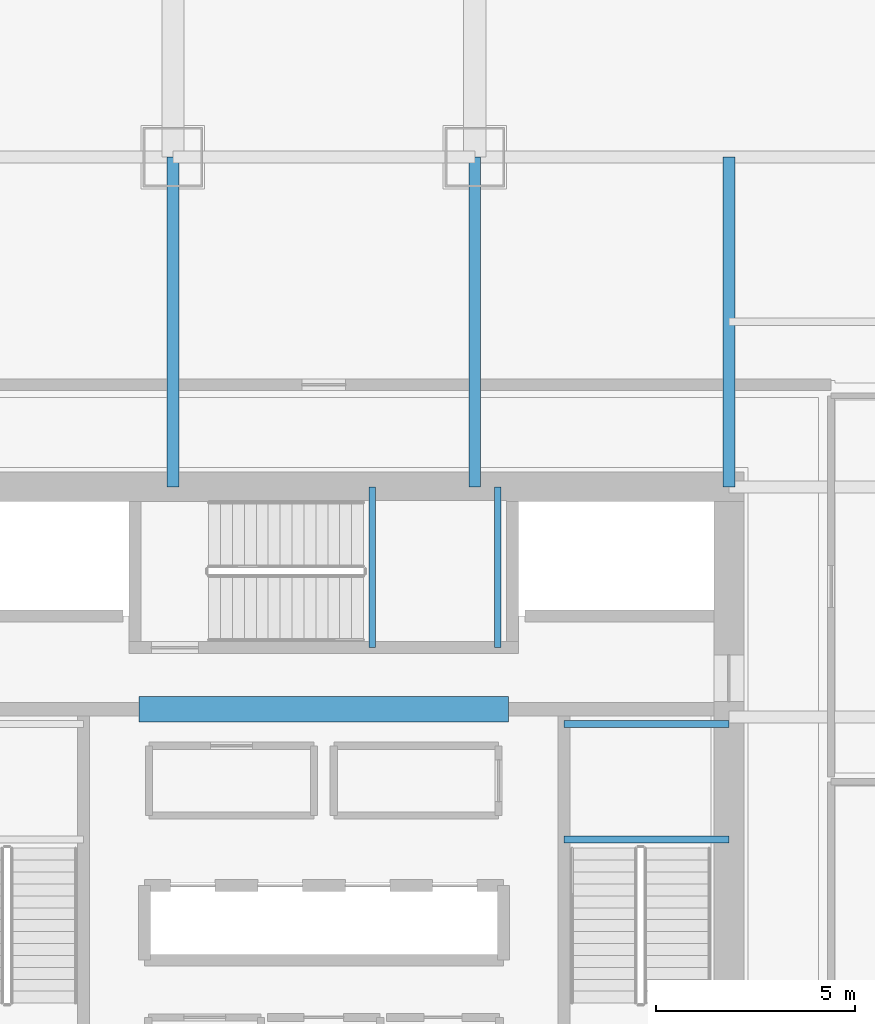
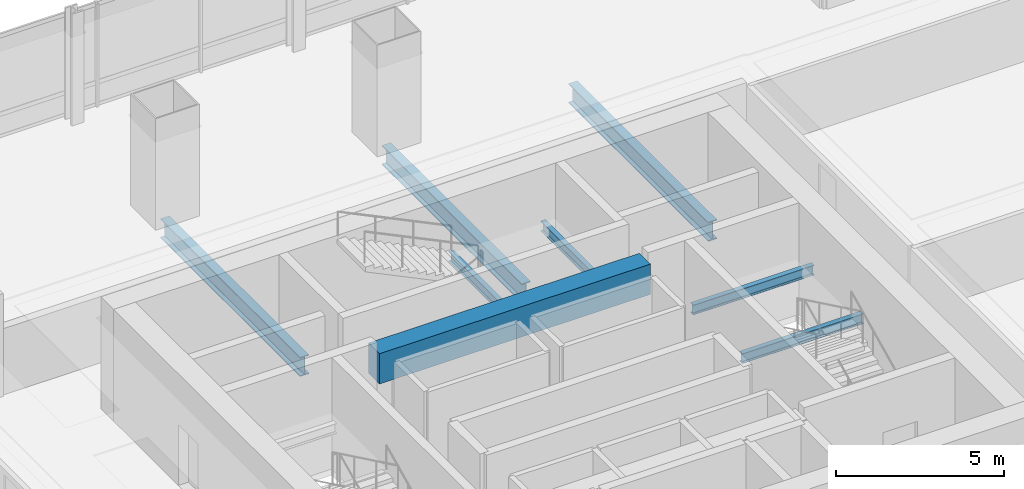
# One storey, part 12 of 33: 8 beams.
"""IFC4 building model written with IfcOpenShell, lengths in metres."""

import ifcopenshell
import ifcopenshell.guid

model = None  # the IFC model being written
_history = None  # IfcOwnerHistory: only IFC2X3 demands one
_inside = {}  # id of a spatial element -> (the spatial element, [elements in it])
_under = {}  # id of a project, library or spatial element -> (it, [spatial elements below it])
_declared = {}  # id of a project -> (the project, [libraries it declares])
_typed = {}  # id of a type object -> (the type object, [elements of that type])
_made_of = {}  # id of a material, layer set ... -> (it, [elements and type objects made of it])


def new_model(schema):
    """Start an empty IFC model of exactly this schema.

    Asked for "IFC4X3", IfcOpenShell would pick the latest addendum, in which some entities
    have other attributes; the version numbers below select the first issue.
    IFC2X3 requires an IfcOwnerHistory on every rooted entity: one is made here for all.
    """
    global model, _history
    if schema == "IFC4X3":
        model = ifcopenshell.file(schema_version=(4, 3, 0, 0))
    else:
        model = ifcopenshell.file(schema=schema)
    _inside.clear()
    _under.clear()
    _declared.clear()
    _typed.clear()
    _made_of.clear()
    _history = None
    if model.schema == "IFC2X3":
        org = make("IfcOrganization", Name="unknown")
        user = make(
            "IfcPersonAndOrganization",
            ThePerson=make("IfcPerson", FamilyName="unknown"),
            TheOrganization=org,
        )
        app = make(
            "IfcApplication",
            ApplicationDeveloper=org,
            Version="unknown",
            ApplicationFullName="unknown",
            ApplicationIdentifier="unknown",
        )
        _history = make(
            "IfcOwnerHistory",
            OwningUser=user,
            OwningApplication=app,
            ChangeAction="ADDED",
            CreationDate=0,
        )
    return model


def make(cls, **values):
    """One entity of the class cls with the attributes given. An attribute that is None is left unset."""
    return model.create_entity(
        cls, **{name: value for name, value in values.items() if value is not None}
    )


def rooted(cls, **values):
    """An entity with a GlobalId (a new one), such as an element, a storey or a relation."""
    return make(cls, GlobalId=ifcopenshell.guid.new(), OwnerHistory=_history, **values)


def si_unit(unit_type, name, prefix=None):
    """IfcSIUnit, for example si_unit("LENGTHUNIT", "METRE", prefix="MILLI")."""
    return make("IfcSIUnit", UnitType=unit_type, Prefix=prefix, Name=name)


def assignment(units):
    """IfcUnitAssignment: the units of a project."""
    return None if units is None else make("IfcUnitAssignment", Units=units)


def point(xyz):
    """IfcCartesianPoint."""
    return None if xyz is None else make("IfcCartesianPoint", Coordinates=xyz)


def direction(xyz):
    """IfcDirection."""
    return None if xyz is None else make("IfcDirection", DirectionRatios=xyz)


def frame(location, z_axis=None, x_axis=None):
    """IfcAxis2Placement3D, a coordinate frame: its origin and axes. An axis left out is left unset."""
    return make(
        "IfcAxis2Placement3D",
        Location=point(location),
        Axis=direction(z_axis),
        RefDirection=direction(x_axis),
    )


def frame_2d(location, x_axis=None):
    """IfcAxis2Placement2D, a coordinate frame in the plane: its origin and x axis."""
    return make(
        "IfcAxis2Placement2D", Location=point(location), RefDirection=direction(x_axis)
    )


def origin():
    """The frame at (0, 0, 0) with its axes left unset."""
    return frame((0.0, 0.0, 0.0))


def origin_2d():
    """The frame at (0, 0) in the plane with its x axis left unset."""
    return frame_2d((0.0, 0.0))


def place(relative_to, where):
    """IfcLocalPlacement: puts the frame where relative to a parent placement (None: the world)."""
    return make(
        "IfcLocalPlacement", PlacementRelTo=relative_to, RelativePlacement=where
    )


def context(
    kind, dimensions, precision=None, world=None, true_north=None, identifier=None
):
    """IfcGeometricRepresentationContext, for example the 3D "Model" context."""
    return make(
        "IfcGeometricRepresentationContext",
        ContextIdentifier=identifier,
        ContextType=kind,
        CoordinateSpaceDimension=dimensions,
        Precision=precision,
        WorldCoordinateSystem=world,
        TrueNorth=true_north,
    )


def subcontext(parent, identifier, kind, view, scale=None):
    """IfcGeometricRepresentationSubContext, for example "Body" below "Model"."""
    return make(
        "IfcGeometricRepresentationSubContext",
        ContextIdentifier=identifier,
        ContextType=kind,
        ParentContext=parent,
        TargetScale=scale,
        TargetView=view,
    )


def project(units=None, contexts=None):
    """IfcProject with its units and contexts."""
    return rooted(
        "IfcProject",
        Name="project",
        RepresentationContexts=contexts,
        UnitsInContext=assignment(units),
    )


def spatial(cls, under=None, at=None, **own):
    """A site, building, storey or space (cls), placed at a placement, below another one or the project."""
    s = rooted(cls, ObjectPlacement=at, **own)
    if under is not None:
        _under.setdefault(under.id(), (under, []))[1].append(s)
    return s


def profile(cls, at=None, kind="AREA", **sizes):
    """A parametric profile (cls). Its sizes go by their IFC names, for example OverallWidth=200.0."""
    return make(cls, ProfileType=kind, Position=at, **sizes)


def rectangle(**sizes):
    """IfcRectangleProfileDef."""
    return profile("IfcRectangleProfileDef", **sizes)


def i_section(**sizes):
    """IfcIShapeProfileDef."""
    return profile("IfcIShapeProfileDef", **sizes)


def extrude(swept, where, along, depth):
    """IfcExtrudedAreaSolid: the profile swept, set in the frame where, extruded along a direction by depth."""
    return make(
        "IfcExtrudedAreaSolid",
        SweptArea=swept,
        Position=where,
        ExtrudedDirection=direction(along),
        Depth=depth,
    )


def shape(context_of_items, identifier, shape_type, items):
    """IfcShapeRepresentation: the items that make up one representation, for example the "Body"."""
    return make(
        "IfcShapeRepresentation",
        ContextOfItems=context_of_items,
        RepresentationIdentifier=identifier,
        RepresentationType=shape_type,
        Items=items,
    )


def material(Name=None, Category=None):
    """IfcMaterial."""
    return make("IfcMaterial", Name=Name, Category=Category)


def material_profile(
    of_material, cross_section, Name=None, Category=None, Priority=None
):
    """IfcMaterialProfile: a cross section and its material."""
    return make(
        "IfcMaterialProfile",
        Name=Name,
        Material=of_material,
        Profile=cross_section,
        Priority=Priority,
        Category=Category,
    )


def profile_set(profiles, Name=None, composite=None):
    """IfcMaterialProfileSet."""
    return make(
        "IfcMaterialProfileSet",
        Name=Name,
        MaterialProfiles=profiles,
        CompositeProfile=composite,
    )


def made_of(thing, what):
    """Note that an element or type object is made of a material, layer set ...; save() writes the relation."""
    if what is not None:
        _made_of.setdefault(what.id(), (what, []))[1].append(thing)
    return thing


def type_object(cls, material=None, **own):
    """A type object (cls), such as IfcWallType, which elements share."""
    return made_of(rooted(cls, **own), material)


def element(
    cls,
    number,
    at=None,
    inside=None,
    cuts=None,
    type_object=None,
    material=None,
    context=None,
    identifier="Body",
    shape_type=None,
    held_by="IfcProductDefinitionShape",
    body=None,
    shapes=None,
    **own,
):
    """One element of the class cls, such as IfcWall. Its Tag is "e" and its number.

    at: its placement. inside: the storey or other place that contains it. cuts: it is an
    opening in that element (IfcRelVoidsElement). A single representation is given by context,
    identifier, shape_type and body (its items); several are given by shapes. held_by: the class
    of the entity that holds the representations. save() writes the other relations.
    """
    e = rooted(cls, Tag="e%d" % number, ObjectPlacement=at, **own)
    if body is not None:
        shapes = [shape(context, identifier, shape_type, body)]
    if shapes is not None:
        e.Representation = make(held_by, Representations=shapes)
    if inside is not None:
        _inside.setdefault(inside.id(), (inside, []))[1].append(e)
    if cuts is not None:
        rooted(
            "IfcRelVoidsElement", RelatingBuildingElement=cuts, RelatedOpeningElement=e
        )
    if type_object is not None:
        _typed.setdefault(type_object.id(), (type_object, []))[1].append(e)
    return made_of(e, material)


def aggregate(whole, parts):
    """IfcRelAggregates: a whole, such as a stair, and the parts it consists of."""
    return rooted("IfcRelAggregates", RelatingObject=whole, RelatedObjects=parts)


def save(model, path):
    """Write the relations noted so far, then the file.

    IfcRelAggregates (storeys below a building ...), IfcRelContainedInSpatialStructure (elements
    in a storey), IfcRelDefinesByType, IfcRelAssociatesMaterial and IfcRelDeclares: one each for
    every whole, place, type object, material and project.
    """
    for whole, parts in _under.values():
        aggregate(whole, parts)
    for where, things in _inside.values():
        rooted(
            "IfcRelContainedInSpatialStructure",
            RelatedElements=things,
            RelatingStructure=where,
        )
    for kind, things in _typed.values():
        rooted("IfcRelDefinesByType", RelatedObjects=things, RelatingType=kind)
    for what, things in _made_of.values():
        rooted("IfcRelAssociatesMaterial", RelatedObjects=things, RelatingMaterial=what)
    for by, libraries in _declared.values():
        rooted("IfcRelDeclares", RelatingContext=by, RelatedDefinitions=libraries)
    model.write(path)


model = new_model("IFC4")

# Units and contexts
model_context = context("Model", 3, precision=1e-05, world=origin(), true_north=direction((0.0, 1.0)))
body_context = subcontext(model_context, "Body", "Model", "MODEL_VIEW")
ifc_project = project(units=[si_unit("LENGTHUNIT", "METRE"), si_unit("AREAUNIT", "SQUARE_METRE"), si_unit("VOLUMEUNIT", "CUBIC_METRE"), si_unit("PLANEANGLEUNIT", "RADIAN"), si_unit("MASSUNIT", "GRAM", prefix="KILO")], contexts=[model_context])

# Site, building, storey
site_placement = place(None, origin())
site = spatial("IfcSite", under=ifc_project, at=site_placement, CompositionType="ELEMENT")
building_placement = place(site_placement, origin())
building = spatial("IfcBuilding", under=site, at=building_placement, Name="Punatoya Terracotta Tower", CompositionType="ELEMENT")
storey_placement = place(building_placement, frame((0.0, 0.0, 121.35009765625)))
storey = spatial("IfcBuildingStorey", under=building, at=storey_placement, Name="L28", CompositionType="ELEMENT", Elevation=121.35009765625)

# Beams
ifc_material_1 = material(Name="Steel S355", Category="steel")
ifc_material_profile_1 = material_profile(ifc_material_1, i_section(OverallWidth=0.300048828125, OverallDepth=0.699951171875, WebThickness=0.01708984375, FlangeThickness=0.031982421875, FilletRadius=0.01806640625, at=origin_2d()))
ifc_profile_set_1 = profile_set([ifc_material_profile_1], Name="Steel S355")
beam_type_1 = type_object("IfcBeamType", Name="BM-PRI-700", PredefinedType="BEAM", material=ifc_profile_set_1)
for number, where, z_axis, x_axis, name in (
    (1, (-3.800048828125, 9.199951171875, -0.590087890625), (0.0, 1.0, 0.0), (-1.0, 0.0, 0.0), "BM-L28-PR-N2"),
    (2, (3.800048828125, 9.199951171875, -0.590087890625), (0.0, 1.0, 0.0), (-1.0, 0.0, 0.0), "BM-L28-PR-N3"),
    (3, (10.199951171875, 9.199951171875, -0.590087890625), (0.0, 1.0, 0.0), (-1.0, 0.0, 0.0), "BM-L28-PR-N4"),
):
    element("IfcBeam", number, at=place(storey_placement, frame(where, z_axis=z_axis, x_axis=x_axis)), inside=storey, type_object=beam_type_1, Name=name, PredefinedType="BEAM", context=body_context, shape_type="SweptSolid", body=[
        extrude(i_section(OverallWidth=0.300048828125, OverallDepth=0.699951171875, WebThickness=0.01708984375, FlangeThickness=0.031982421875, FilletRadius=0.01806640625, at=origin_2d()), origin(), (0.0, 0.0, 1.0), 8.300048828125),
    ])
ifc_material_2 = material(Name="Concrete C60/75", Category="concrete")
ifc_material_profile_2 = material_profile(ifc_material_2, rectangle(XDim=0.64990234375, YDim=1.10009765625, at=origin_2d()))
ifc_profile_set_2 = profile_set([ifc_material_profile_2], Name="Concrete C60/75")
beam_type_2 = type_object("IfcBeamType", Name="BM-RC-1100", PredefinedType="LINTEL", material=ifc_profile_set_2)
beam_placement = place(storey_placement, frame((-4.64990234375, 3.60009765625, 3.179931640625), z_axis=(1.0, 0.0, 0.0), x_axis=(0.0, 1.0, 0.0)))
element("IfcBeam", 4, at=beam_placement, inside=storey, type_object=beam_type_2, Name="L28 Core Coupling Lintel CNW", PredefinedType="LINTEL", context=body_context, shape_type="SweptSolid", body=[
    extrude(rectangle(XDim=0.64990234375, YDim=1.10009765625, at=origin_2d()), origin(), (0.0, 0.0, 1.0), 9.2998046875),
])
ifc_material_profile_3 = material_profile(ifc_material_1, i_section(OverallWidth=0.169921875, OverallDepth=0.360107421875, WebThickness=0.008056640625, FlangeThickness=0.0126953125, FilletRadius=0.01806640625, at=origin_2d()))
ifc_profile_set_3 = profile_set([ifc_material_profile_3], Name="Steel S355")
beam_type_3 = type_object("IfcBeamType", Name="BM-SEC-360", PredefinedType="JOIST", material=ifc_profile_set_3)
for number, where, z_axis, x_axis, name in (
    (5, (6.050048828125, 0.320068359375, 1.64501953125), (1.0, 0.0, 0.0), (0.0, 1.0, 0.0), "BM-L28-ST-2-LD1A"),
    (6, (6.050048828125, 3.22998046875, 1.64501953125), (1.0, 0.0, 0.0), (0.0, 1.0, 0.0), "BM-L28-ST-2-LD1B"),
):
    element("IfcBeam", number, at=place(storey_placement, frame(where, z_axis=z_axis, x_axis=x_axis)), inside=storey, type_object=beam_type_3, Name=name, PredefinedType="JOIST", context=body_context, shape_type="SweptSolid", body=[
        extrude(i_section(OverallWidth=0.169921875, OverallDepth=0.360107421875, WebThickness=0.008056640625, FlangeThickness=0.0126953125, FilletRadius=0.01806640625, at=origin_2d()), origin(), (0.0, 0.0, 1.0), 4.14990234375),
    ])
for number, where, z_axis, x_axis, name in (
    (7, (1.219970703125, 5.14990234375, 1.64501953125), (0.0, 1.0, 0.0), (-1.0, 0.0, 0.0), "BM-L28-ST-3-LD1A"),
    (8, (4.3798828125, 5.14990234375, 1.64501953125), (0.0, 1.0, 0.0), (-1.0, 0.0, 0.0), "BM-L28-ST-3-LD1B"),
):
    element("IfcBeam", number, at=place(storey_placement, frame(where, z_axis=z_axis, x_axis=x_axis)), inside=storey, type_object=beam_type_3, Name=name, PredefinedType="JOIST", context=body_context, shape_type="SweptSolid", body=[
        extrude(i_section(OverallWidth=0.169921875, OverallDepth=0.360107421875, WebThickness=0.008056640625, FlangeThickness=0.0126953125, FilletRadius=0.01806640625, at=origin_2d()), origin(), (0.0, 0.0, 1.0), 4.050048828125),
    ])

save(model, "model.ifc")
